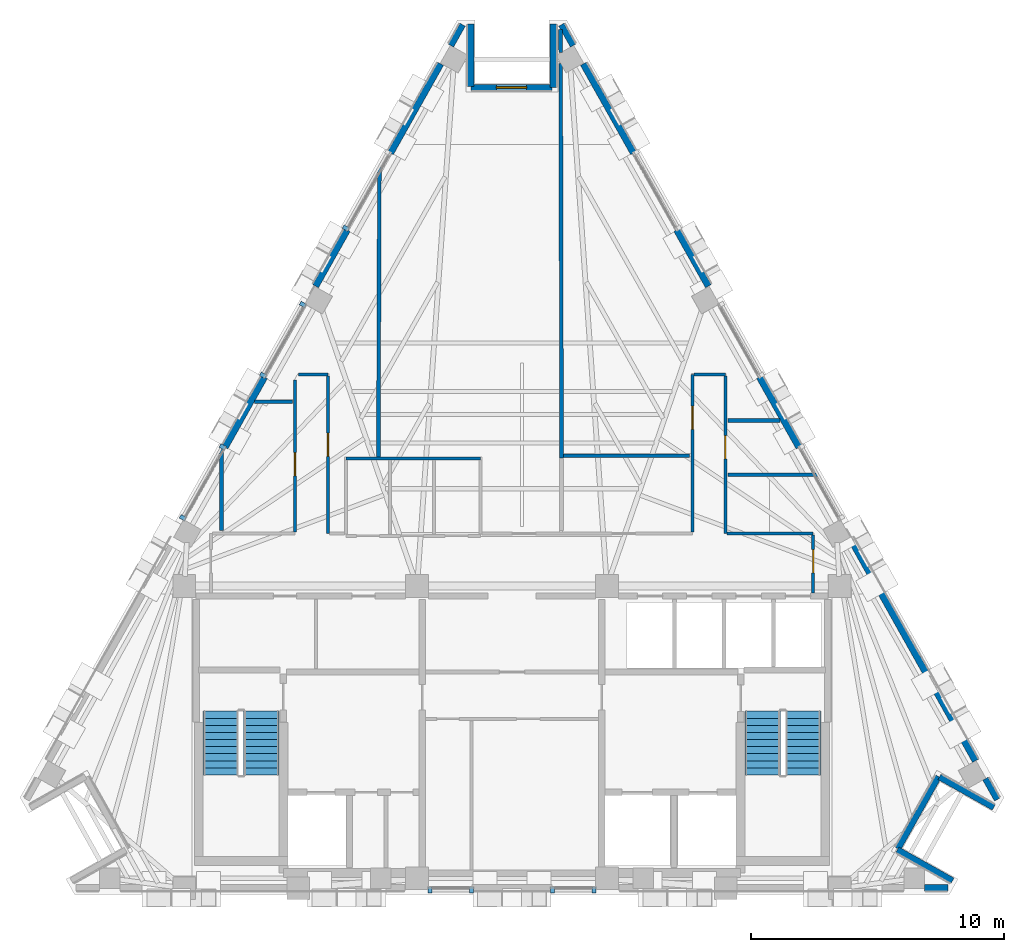
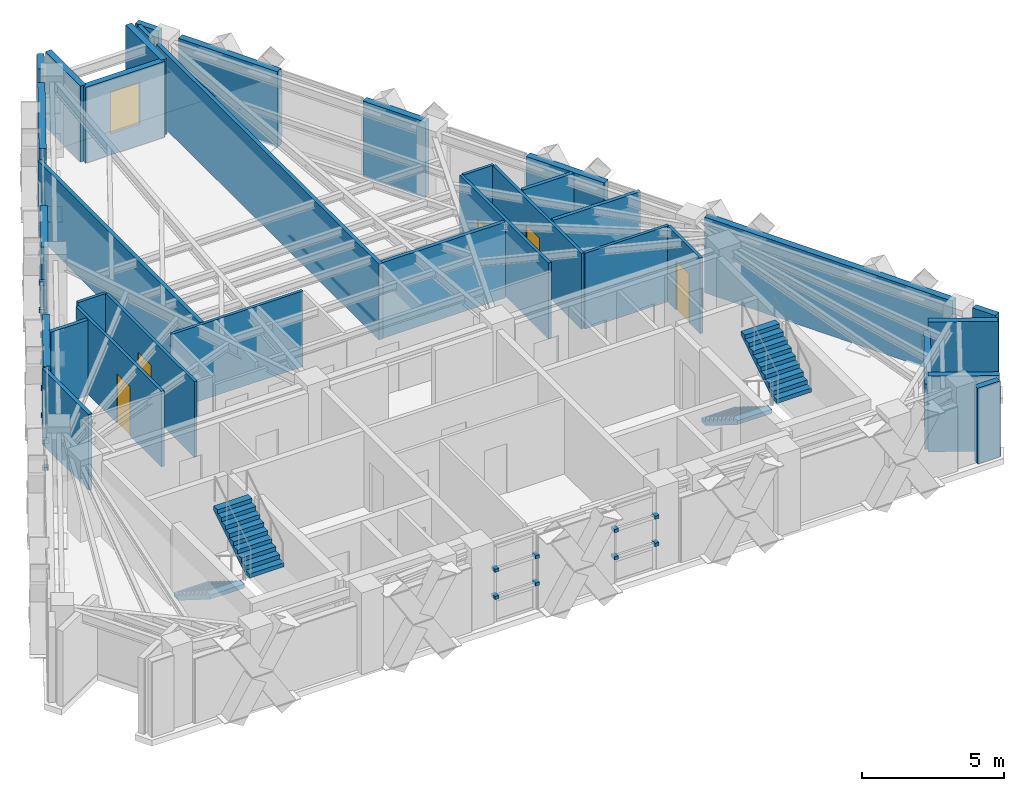
# One storey, part 8 of 11: 34 walls, 18 discrete accessories, 5 doors, 4 stair flights, 1 window, 6 openings, 2 elements without a shape of their own.
"""IFC4 building model written with IfcOpenShell, lengths in metres."""

from ifc_helpers import new_model, si_unit, direction, frame, frame_2d, origin, origin_2d, place, context, subcontext, project, spatial, polyline, rectangle, outline, extrude, material, layer, layer_set, type_object, element, fill, aggregate, save


model = new_model("IFC4")

# Units and contexts
model_context = context("Model", 3, precision=1e-05, world=origin(), true_north=direction((0.0, 1.0)))
body_context = subcontext(model_context, "Body", "Model", "MODEL_VIEW")
ifc_project = project(units=[si_unit("LENGTHUNIT", "METRE"), si_unit("AREAUNIT", "SQUARE_METRE"), si_unit("VOLUMEUNIT", "CUBIC_METRE"), si_unit("PLANEANGLEUNIT", "RADIAN"), si_unit("MASSUNIT", "GRAM", prefix="KILO")], contexts=[model_context])

# Site, building, storey
site_placement = place(None, origin())
site = spatial("IfcSite", under=ifc_project, at=site_placement, CompositionType="ELEMENT")
building_placement = place(site_placement, origin())
building = spatial("IfcBuilding", under=site, at=building_placement, Name="Quenlor Broadcast Tower", CompositionType="ELEMENT")
storey_placement = place(building_placement, frame((0.0, 0.0, 263.89990234375)))
storey = spatial("IfcBuildingStorey", under=building, at=storey_placement, Name="L73", CompositionType="ELEMENT", Elevation=263.89990234375)

# Walls
ifc_material_1 = material(Name="Acoustic Double Stud Gypsum Partition", Category="other")
ifc_layer_1 = layer(ifc_material_1, 0.14990234375)
ifc_layer_set_1 = layer_set([ifc_layer_1], Name="Broadcast Studio Acoustic Partition 150")
wall_type_1 = type_object("IfcWallType", Name="Broadcast Studio Acoustic Partition 150", PredefinedType="PARTITIONING", material=ifc_layer_set_1)
wall_1_placement = place(storey_placement, frame((1.92041015625, 17.17626953125, 0.0), z_axis=(0.0, 0.0, 1.0), x_axis=(0.002155167409, -0.999997677624, 0.0)))
element("IfcWall", 1, at=wall_1_placement, inside=storey, type_object=wall_type_1, Name="L73 Interior Wall PW-DV-01", PredefinedType="PARTITIONING", context=body_context, shape_type="SweptSolid", body=[
    extrude(rectangle(XDim=0.90625, YDim=0.14990234375, at=frame_2d((0.453125, 0.0))), origin(), (0.0, 0.0, 1.0), 3.25),
])
wall_2_placement = place(storey_placement, frame((1.923583984375, 15.834716796875, 0.0), z_axis=(0.0, 0.0, 1.0), x_axis=(0.002349065635, -0.999997240942, 0.0)))
element("IfcWall", 2, at=wall_2_placement, inside=storey, type_object=wall_type_1, Name="L73 Interior Wall PW-DV-01S2", PredefinedType="PARTITIONING", context=body_context, shape_type="SweptSolid", body=[
    extrude(rectangle(XDim=15.589599609375, YDim=0.14990234375, at=frame_2d((7.794921875, 0.0))), origin(), (0.0, 0.0, 1.0), 3.25),
])
wall_3_placement = place(storey_placement, frame((-5.27978515625, 0.2919921875, 0.0), z_axis=(0.0, 0.0, 1.0), x_axis=(0.003540480305, 0.99999373248, 0.0)))
element("IfcWall", 3, at=wall_3_placement, inside=storey, type_object=wall_type_1, Name="L73 Interior Wall PW-DV-02", PredefinedType="PARTITIONING", context=body_context, shape_type="SweptSolid", body=[
    extrude(rectangle(XDim=11.44677734375, YDim=0.14990234375, at=frame_2d((5.723388671875, 0.0))), origin(), (0.0, 0.0, 1.0), 3.25),
])
wall_4_placement = place(storey_placement, frame((10.597412109375, 1.72998046875, 0.0), z_axis=(0.0, 0.0, 1.0), x_axis=(-1.0, 0.0, 0.0)))
element("IfcWall", 4, at=wall_4_placement, inside=storey, type_object=wall_type_1, Name="L73 Interior Wall PW-DV-04", PredefinedType="PARTITIONING", context=body_context, shape_type="SweptSolid", body=[
    extrude(rectangle(XDim=2.057373046875, YDim=0.14990234375, at=frame_2d((1.02880859375, 0.0))), origin(), (0.0, 0.0, 1.0), 3.25),
])
wall_5_placement = place(storey_placement, frame((7.02001953125, 0.344970703125, 0.0), z_axis=(0.0, 0.0, 1.0), x_axis=(-1.0, 0.0, 0.0)))
element("IfcWall", 5, at=wall_5_placement, inside=storey, type_object=wall_type_1, Name="L73 Interior Wall PW-DV-05", PredefinedType="PARTITIONING", context=body_context, shape_type="SweptSolid", body=[
    extrude(rectangle(XDim=4.98291015625, YDim=0.14990234375, at=frame_2d((2.491455078125, 0.0))), origin(), (0.0, 0.0, 1.0), 3.25),
])
wall_6_placement = place(storey_placement, frame((-8.679931640625, 2.47998046875, 0.0), z_axis=(0.0, 0.0, 1.0), x_axis=(-1.0, 0.0, 0.0)))
element("IfcWall", 6, at=wall_6_placement, inside=storey, type_object=wall_type_1, Name="L73 Interior Wall PW-DV-06", PredefinedType="PARTITIONING", context=body_context, shape_type="SweptSolid", body=[
    extrude(rectangle(XDim=1.49560546875, YDim=0.14990234375, at=frame_2d((0.747802734375, 0.0))), origin(), (0.0, 0.0, 1.0), 3.25),
])
wall_7_placement = place(storey_placement, frame((12.0732421875, -0.410400390625, 0.0), z_axis=(0.0, 0.0, 1.0), x_axis=(-1.0, 0.0, 0.0)))
element("IfcWall", 7, at=wall_7_placement, inside=storey, type_object=wall_type_1, Name="L73 Interior Wall PW-DV-07", PredefinedType="PARTITIONING", context=body_context, shape_type="SweptSolid", body=[
    extrude(rectangle(XDim=3.533203125, YDim=0.14990234375, at=frame_2d((1.7666015625, 0.0))), origin(), (0.0, 0.0, 1.0), 3.25),
])
wall_8_placement = place(storey_placement, frame((-11.47998046875, -2.6201171875, 0.0), z_axis=(0.0, 0.0, 1.0), x_axis=(0.0, 1.0, 0.0)))
element("IfcWall", 8, at=wall_8_placement, inside=storey, type_object=wall_type_1, Name="L73 Interior Wall PW-DV-08", PredefinedType="PARTITIONING", context=body_context, shape_type="SweptSolid", body=[
    extrude(rectangle(XDim=3.264404296875, YDim=0.14990234375, at=frame_2d((1.63232421875, 0.0))), origin(), (0.0, 0.0, 1.0), 3.25),
])
ifc_material_2 = material(Name="Gypsum Plasterboard Partition", Category="other")
ifc_layer_2 = layer(ifc_material_2, 0.1201171875)
ifc_layer_set_2 = layer_set([ifc_layer_2], Name="Standard Office Partition 120")
wall_type_2 = type_object("IfcWallType", Name="Standard Office Partition 120", PredefinedType="PARTITIONING", material=ifc_layer_set_2)
wall_9_placement = place(storey_placement, frame((-6.56005859375, 0.22998046875, 0.0), z_axis=(0.0, 0.0, 1.0), x_axis=(1.0, 0.0, 0.0)))
element("IfcWall", 9, at=wall_9_placement, inside=storey, type_object=wall_type_2, Name="L73 Interior Wall PW-WC-N", PredefinedType="PARTITIONING", context=body_context, shape_type="SweptSolid", body=[
    extrude(rectangle(XDim=5.320068359375, YDim=0.1201171875, at=frame_2d((2.66015625, 0.0))), origin(), (0.0, 0.0, 1.0), 3.25),
])

# Wall, opening, door
wall_10_placement = place(storey_placement, frame((-8.570068359375, -2.66796875, 0.0), z_axis=(0.0, 0.0, 1.0), x_axis=(0.0, 1.0, 0.0)))
wall_10 = element("IfcWall", 10, at=wall_10_placement, inside=storey, type_object=wall_type_2, Name="L73 Interior Wall PW-CR-03", PredefinedType="PARTITIONING", context=body_context, shape_type="SweptSolid", body=[
    extrude(rectangle(XDim=5.9970703125, YDim=0.1201171875, at=frame_2d((2.99853515625, 0.0))), origin(), (0.0, 0.0, 1.0), 3.25),
])
opening_1_placement = place(wall_10_placement, frame((2.2119140625, 0.0, 0.0)))
opening_1 = element("IfcOpeningElement", 11, at=opening_1_placement, cuts=wall_10, Name="Opening ID-1", PredefinedType="OPENING", context=body_context, shape_type="SweptSolid", body=[
    extrude(rectangle(XDim=0.919921875, YDim=2.1201171875, at=frame_2d((0.4599609375, 1.06005859375))), frame((0.0, 0.070068359375, 0.0), z_axis=(0.0, -1.0, 0.0), x_axis=(1.0, 0.0, 0.0)), (0.0, 0.0, 1.0), 0.14013671875),
])
ifc_material_3 = material(Name="Solid Core Timber Oak", Category="wood")
door_type = type_object("IfcDoorType", Name="Single Leaf Timber Office Door 920x2120", OperationType="NOTDEFINED", PredefinedType="DOOR", material=ifc_material_3)
door_1_placement = place(opening_1_placement, origin())
door_1 = element("IfcDoor", 12, at=door_1_placement, inside=storey, type_object=door_type, Name="L73 Door DR-RM05", OperationType="SINGLE_SWING_RIGHT", OverallHeight=2.1201171875, OverallWidth=0.919921875, PredefinedType="DOOR", context=body_context, shape_type="SweptSolid", body=[
    extrude(rectangle(XDim=0.919921875, YDim=2.1201171875, at=frame_2d((0.4599609375, 1.06005859375))), frame((0.0, 0.02490234375, 0.0), z_axis=(0.0, -1.0, 0.0), x_axis=(1.0, 0.0, 0.0)), (0.0, 0.0, 1.0), 0.050048828125),
])
fill(opening_1, door_1)

# Wall
wall_11_placement = place(storey_placement, frame((-8.440185546875, 3.56005859375, 0.0), z_axis=(0.0, 0.0, 1.0), x_axis=(1.0, 0.0, 0.0)))
element("IfcWall", 13, at=wall_11_placement, inside=storey, type_object=wall_type_2, Name="L73 Interior Wall PW-CR-04", PredefinedType="PARTITIONING", context=body_context, shape_type="SweptSolid", body=[
    extrude(rectangle(XDim=1.170166015625, YDim=0.1201171875, at=frame_2d((0.5849609375, 0.0))), origin(), (0.0, 0.0, 1.0), 3.25),
])

# Wall, opening, door
wall_12_placement = place(storey_placement, frame((-7.27001953125, 3.498046875, 0.0), z_axis=(0.0, 0.0, 1.0), x_axis=(0.0, -1.0, 0.0)))
wall_12 = element("IfcWall", 14, at=wall_12_placement, inside=storey, type_object=wall_type_2, Name="L73 Interior Wall PW-CR-05", PredefinedType="PARTITIONING", context=body_context, shape_type="SweptSolid", body=[
    extrude(rectangle(XDim=6.22802734375, YDim=0.1201171875, at=frame_2d((3.114013671875, 0.0))), origin(), (0.0, 0.0, 1.0), 3.25),
])
opening_2_placement = place(wall_12_placement, frame((2.262939453125, 0.0, 0.0)))
opening_2 = element("IfcOpeningElement", 15, at=opening_2_placement, cuts=wall_12, Name="Opening ID-1", PredefinedType="OPENING", context=body_context, shape_type="SweptSolid", body=[
    extrude(rectangle(XDim=0.919921875, YDim=2.1201171875, at=frame_2d((0.4599609375, 1.06005859375))), frame((0.0, 0.070068359375, 0.0), z_axis=(0.0, -1.0, 0.0), x_axis=(1.0, 0.0, 0.0)), (0.0, 0.0, 1.0), 0.14013671875),
])
door_2_placement = place(opening_2_placement, origin())
door_2 = element("IfcDoor", 16, at=door_2_placement, inside=storey, type_object=door_type, Name="L73 Door DR-RM03", OperationType="SINGLE_SWING_RIGHT", OverallHeight=2.1201171875, OverallWidth=0.919921875, PredefinedType="DOOR", context=body_context, shape_type="SweptSolid", body=[
    extrude(rectangle(XDim=0.919921875, YDim=2.1201171875, at=frame_2d((0.4599609375, 1.06005859375))), frame((0.0, 0.02490234375, 0.0), z_axis=(0.0, -1.0, 0.0), x_axis=(1.0, 0.0, 0.0)), (0.0, 0.0, 1.0), 0.050048828125),
])
fill(opening_2, door_2)

wall_13_placement = place(storey_placement, frame((7.1298828125, -2.66796875, 0.0), z_axis=(0.0, 0.0, 1.0), x_axis=(0.0, 1.0, 0.0)))
wall_13 = element("IfcWall", 17, at=wall_13_placement, inside=storey, type_object=wall_type_2, Name="L73 Interior Wall PW-CR-09", PredefinedType="PARTITIONING", context=body_context, shape_type="SweptSolid", body=[
    extrude(rectangle(XDim=6.22802734375, YDim=0.1201171875, at=frame_2d((3.114013671875, 0.0))), origin(), (0.0, 0.0, 1.0), 3.25),
])
opening_3_placement = place(wall_13_placement, frame((4.051025390625, 0.0, 0.0)))
opening_3 = element("IfcOpeningElement", 18, at=opening_3_placement, cuts=wall_13, Name="Opening ID-1", PredefinedType="OPENING", context=body_context, shape_type="SweptSolid", body=[
    extrude(rectangle(XDim=0.919921875, YDim=2.1201171875, at=frame_2d((0.4599609375, 1.06005859375))), frame((0.0, 0.070068359375, 0.0), z_axis=(0.0, -1.0, 0.0), x_axis=(1.0, 0.0, 0.0)), (0.0, 0.0, 1.0), 0.14013671875),
])
door_3_placement = place(opening_3_placement, origin())
door_3 = element("IfcDoor", 19, at=door_3_placement, inside=storey, type_object=door_type, Name="L73 Door DR-RM02", OperationType="SINGLE_SWING_LEFT", OverallHeight=2.1201171875, OverallWidth=0.919921875, PredefinedType="DOOR", context=body_context, shape_type="SweptSolid", body=[
    extrude(rectangle(XDim=0.919921875, YDim=2.1201171875, at=frame_2d((0.4599609375, 1.06005859375))), frame((0.0, 0.02490234375, 0.0), z_axis=(0.0, -1.0, 0.0), x_axis=(1.0, 0.0, 0.0)), (0.0, 0.0, 1.0), 0.050048828125),
])
fill(opening_3, door_3)

# Wall
wall_14_placement = place(storey_placement, frame((7.19189453125, 3.56005859375, 0.0), z_axis=(0.0, 0.0, 1.0), x_axis=(1.0, 0.0, 0.0)))
element("IfcWall", 20, at=wall_14_placement, inside=storey, type_object=wall_type_2, Name="L73 Interior Wall PW-CR-10", PredefinedType="PARTITIONING", context=body_context, shape_type="SweptSolid", body=[
    extrude(rectangle(XDim=1.238037109375, YDim=0.1201171875, at=frame_2d((0.619140625, 0.0))), origin(), (0.0, 0.0, 1.0), 3.25),
])

# Wall, opening, door
wall_15_placement = place(storey_placement, frame((8.429931640625, 3.498046875, 0.0), z_axis=(0.0, 0.0, 1.0), x_axis=(0.0, -1.0, 0.0)))
wall_15 = element("IfcWall", 21, at=wall_15_placement, inside=storey, type_object=wall_type_2, Name="L73 Interior Wall PW-CR-11", PredefinedType="PARTITIONING", context=body_context, shape_type="SweptSolid", body=[
    extrude(rectangle(XDim=6.22802734375, YDim=0.1201171875, at=frame_2d((3.114013671875, 0.0))), origin(), (0.0, 0.0, 1.0), 3.25),
])
opening_4_placement = place(wall_15_placement, frame((2.35791015625, 0.0, 0.0)))
opening_4 = element("IfcOpeningElement", 22, at=opening_4_placement, cuts=wall_15, Name="Opening ID-1", PredefinedType="OPENING", context=body_context, shape_type="SweptSolid", body=[
    extrude(rectangle(XDim=0.919921875, YDim=2.1201171875, at=frame_2d((0.4599609375, 1.06005859375))), frame((0.0, 0.070068359375, 0.0), z_axis=(0.0, -1.0, 0.0), x_axis=(1.0, 0.0, 0.0)), (0.0, 0.0, 1.0), 0.14013671875),
])
door_4_placement = place(opening_4_placement, origin())
door_4 = element("IfcDoor", 23, at=door_4_placement, inside=storey, type_object=door_type, Name="L73 Door DR-RM04", OperationType="SINGLE_SWING_LEFT", OverallHeight=2.1201171875, OverallWidth=0.919921875, PredefinedType="DOOR", context=body_context, shape_type="SweptSolid", body=[
    extrude(rectangle(XDim=0.919921875, YDim=2.1201171875, at=frame_2d((0.4599609375, 1.06005859375))), frame((0.0, 0.02490234375, 0.0), z_axis=(0.0, -1.0, 0.0), x_axis=(1.0, 0.0, 0.0)), (0.0, 0.0, 1.0), 0.050048828125),
])
fill(opening_4, door_4)

# Wall
wall_16_placement = place(storey_placement, frame((8.491943359375, -2.72998046875, 0.0), z_axis=(0.0, 0.0, 1.0), x_axis=(1.0, 0.0, 0.0)))
element("IfcWall", 24, at=wall_16_placement, inside=storey, type_object=wall_type_2, Name="L73 Interior Wall PW-CR-12", PredefinedType="PARTITIONING", context=body_context, shape_type="SweptSolid", body=[
    extrude(rectangle(XDim=3.407958984375, YDim=0.1201171875, at=frame_2d((1.7041015625, 0.0))), origin(), (0.0, 0.0, 1.0), 3.25),
])

# Wall, opening, door
wall_17_placement = place(storey_placement, frame((11.89990234375, -2.7919921875, 0.0), z_axis=(0.0, 0.0, 1.0), x_axis=(0.0, -1.0, 0.0)))
wall_17 = element("IfcWall", 25, at=wall_17_placement, inside=storey, type_object=wall_type_2, Name="L73 Interior Wall PW-CR-13", PredefinedType="PARTITIONING", context=body_context, shape_type="SweptSolid", body=[
    extrude(rectangle(XDim=2.281005859375, YDim=0.1201171875, at=frame_2d((1.140625, 0.0))), origin(), (0.0, 0.0, 1.0), 3.25),
])
opening_5_placement = place(wall_17_placement, frame((0.577880859375, 0.0, 0.0)))
opening_5 = element("IfcOpeningElement", 26, at=opening_5_placement, cuts=wall_17, Name="Opening ID-1", PredefinedType="OPENING", context=body_context, shape_type="SweptSolid", body=[
    extrude(rectangle(XDim=0.919921875, YDim=2.1201171875, at=frame_2d((0.4599609375, 1.06005859375))), frame((0.0, 0.070068359375, 0.0), z_axis=(0.0, -1.0, 0.0), x_axis=(1.0, 0.0, 0.0)), (0.0, 0.0, 1.0), 0.14013671875),
])
door_5_placement = place(opening_5_placement, origin())
door_5 = element("IfcDoor", 27, at=door_5_placement, inside=storey, type_object=door_type, Name="L73 Door DR-RM07", OperationType="SINGLE_SWING_RIGHT", OverallHeight=2.1201171875, OverallWidth=0.919921875, PredefinedType="DOOR", context=body_context, shape_type="SweptSolid", body=[
    extrude(rectangle(XDim=0.919921875, YDim=2.1201171875, at=frame_2d((0.4599609375, 1.06005859375))), frame((0.0, 0.02490234375, 0.0), z_axis=(0.0, -1.0, 0.0), x_axis=(1.0, 0.0, 0.0)), (0.0, 0.0, 1.0), 0.050048828125),
])
fill(opening_5, door_5)

# Walls
ifc_material_4 = material(Name="Precast concrete C40/50", Category="concrete")
ifc_layer_3 = layer(ifc_material_4, 0.239990234375)
ifc_layer_set_3 = layer_set([ifc_layer_3], Name="Terrace Threshold Precast Concrete C40/50 Wall 240")
wall_type_3 = type_object("IfcWallType", Name="Terrace Threshold Precast Concrete C40/50 Wall 240", PredefinedType="STANDARD", material=ifc_layer_set_3)
wall_18_placement = place(storey_placement, frame((17.219970703125, -16.72509765625, 0.0), z_axis=(0.0, 0.0, 1.0), x_axis=(-1.0, 0.0, 0.0)))
element("IfcWall", 28, at=wall_18_placement, inside=storey, type_object=wall_type_3, Name="L73 Exterior Wall L73-SHD-SS0", PredefinedType="STANDARD", context=body_context, shape_type="SweptSolid", body=[
    extrude(rectangle(XDim=0.91748046875, YDim=0.239990234375, at=frame_2d((0.458740234375, 0.0))), origin(), (0.0, 0.0, 1.0), 3.25),
])
for number, where, z_axis, x_axis, name in (
    (29, (1.94970703125, 17.372802734375, 0.0), (0.0, 0.0, 1.0), (0.490199895283, -0.871610040479, 0.0), "L73 Exterior Wall L73-SHD-NES0"),
    (30, (18.707763671875, -12.4189453125, 0.0), (0.0, 0.0, 1.0), (0.490199895283, -0.871610040479, 0.0), "L73 Exterior Wall L73-SHD-NES1"),
    (31, (-2.412841796875, 16.54931640625, 0.0), (0.0, 0.0, 1.0), (0.490199895283, 0.871610040479, 0.0), "L73 Exterior Wall L73-SHD-NWS1"),
):
    element("IfcWall", number, at=place(storey_placement, frame(where, z_axis=z_axis, x_axis=x_axis)), inside=storey, type_object=wall_type_3, Name=name, PredefinedType="STANDARD", context=body_context, shape_type="SweptSolid", body=[
        extrude(rectangle(XDim=0.94482421875, YDim=0.239990234375, at=frame_2d((0.472412109375, 0.0))), origin(), (0.0, 0.0, 1.0), 3.25),
    ])
wall_19_placement = place(storey_placement, frame((17.40771484375, -16.446533203125, 0.0), z_axis=(0.0, 0.0, 1.0), x_axis=(-0.871588577066, 0.490238056792, 0.0)))
element("IfcWall", 32, at=wall_19_placement, inside=storey, type_object=wall_type_3, Name="L73 Exterior Wall L73-CNR-01", PredefinedType="STANDARD", context=body_context, shape_type="SweptSolid", body=[
    extrude(rectangle(XDim=2.5, YDim=0.239990234375, at=frame_2d((1.25, 0.0))), origin(), (0.0, 0.0, 1.0), 3.25),
])
wall_20_placement = place(storey_placement, frame((15.248291015625, -15.18603515625, 0.0), z_axis=(0.0, 0.0, 1.0), x_axis=(0.490293083368, 0.871557624258, 0.0)))
element("IfcWall", 33, at=wall_20_placement, inside=storey, type_object=wall_type_3, Name="L73 Exterior Wall L73-CNR-02", PredefinedType="STANDARD", context=body_context, shape_type="SweptSolid", body=[
    extrude(rectangle(XDim=3.276123046875, YDim=0.239990234375, at=frame_2d((1.63818359375, 0.0))), origin(), (0.0, 0.0, 1.0), 2.789794921875),
])
wall_21_placement = place(storey_placement, frame((16.889404296875, -12.350341796875, 0.0), z_axis=(0.0, 0.0, 1.0), x_axis=(0.87157023615, -0.490270663468, 0.0)))
element("IfcWall", 34, at=wall_21_placement, inside=storey, type_object=wall_type_3, Name="L73 Exterior Wall L73-CNR-03", PredefinedType="STANDARD", context=body_context, shape_type="SweptSolid", body=[
    extrude(rectangle(XDim=2.4599609375, YDim=0.239990234375, at=frame_2d((1.22998046875, 0.0))), origin(), (0.0, 0.0, 1.0), 3.25),
])
wall_22_placement = place(storey_placement, frame((1.62890625, 17.39990234375, 0.0), z_axis=(0.0, 0.0, 1.0), x_axis=(0.0, -1.0, 0.0)))
element("IfcWall", 35, at=wall_22_placement, inside=storey, type_object=wall_type_3, Name="L73 Exterior Wall L73-CNR-07", PredefinedType="STANDARD", context=body_context, shape_type="SweptSolid", body=[
    extrude(rectangle(XDim=2.5, YDim=0.239990234375, at=frame_2d((1.25, 0.0))), origin(), (0.0, 0.0, 1.0), 3.25),
])

# Wall, opening, window
wall_23_placement = place(storey_placement, frame((1.5888671875, 14.89990234375, 0.0), z_axis=(0.0, 0.0, 1.0), x_axis=(-1.0, 0.0, 0.0)))
wall_23 = element("IfcWall", 36, at=wall_23_placement, inside=storey, type_object=wall_type_3, Name="L73 Exterior Wall L73-CNR-08", PredefinedType="STANDARD", context=body_context, shape_type="SweptSolid", body=[
    extrude(rectangle(XDim=3.2177734375, YDim=0.239990234375, at=frame_2d((1.60888671875, 0.0))), origin(), (0.0, 0.0, 1.0), 3.25),
])
opening_6_placement = place(wall_23_placement, frame((1.009033203125, 0.0, 0.89990234375)))
opening_6 = element("IfcOpeningElement", 37, at=opening_6_placement, cuts=wall_23, Name="Opening WN-5", PredefinedType="OPENING", context=body_context, shape_type="SweptSolid", body=[
    extrude(rectangle(XDim=1.199951171875, YDim=1.800048828125, at=frame_2d((0.60009765625, 0.89990234375))), frame((0.0, 0.1298828125, 0.0), z_axis=(0.0, -1.0, 0.0), x_axis=(1.0, 0.0, 0.0)), (0.0, 0.0, 1.0), 0.260009765625),
])
ifc_material_5 = material(Name="Thermally Broken Aluminium and Low-E Glass", Category="aluminium")
window_type = type_object("IfcWindowType", Name="Corner Chamfer Punched Window 1200x1800", PartitioningType="SINGLE_PANEL", PredefinedType="WINDOW", material=ifc_material_5)
window_placement = place(opening_6_placement, origin())
window = element("IfcWindow", 38, at=window_placement, inside=storey, type_object=window_type, Name="L73 Corner Chamfer Window 8", OverallHeight=1.800048828125, OverallWidth=1.199951171875, PartitioningType="SINGLE_PANEL", PredefinedType="WINDOW", context=body_context, shape_type="SweptSolid", body=[
    extrude(rectangle(XDim=1.199951171875, YDim=1.800048828125, at=frame_2d((0.60009765625, 0.89990234375))), frame((0.0, 0.030029296875, 0.0), z_axis=(0.0, -1.0, 0.0), x_axis=(1.0, 0.0, 0.0)), (0.0, 0.0, 1.0), 0.06005859375),
])
fill(opening_6, window)

# Walls
wall_24_placement = place(storey_placement, frame((-1.62890625, 14.93994140625, 0.0), z_axis=(0.0, 0.0, 1.0), x_axis=(0.0, 1.0, 0.0)))
element("IfcWall", 39, at=wall_24_placement, inside=storey, type_object=wall_type_3, Name="L73 Exterior Wall L73-CNR-09", PredefinedType="STANDARD", context=body_context, shape_type="SweptSolid", body=[
    extrude(rectangle(XDim=2.4599609375, YDim=0.239990234375, at=frame_2d((1.22998046875, 0.0))), origin(), (0.0, 0.0, 1.0), 3.25),
])
ifc_material_6 = material(Name="Precast concrete C40/50", Category="concrete")
ifc_layer_4 = layer(ifc_material_6, 0.260009765625)
ifc_layer_set_4 = layer_set([ifc_layer_4], Name="Terracotta Precast Concrete C40/50 Upper Wall 260")
wall_type_4 = type_object("IfcWallType", Name="Terracotta Precast Concrete C40/50 Upper Wall 260", PredefinedType="STANDARD", material=ifc_layer_set_4)
wall_25_placement = place(storey_placement, frame((2.81982421875, 15.825927734375, 0.0), z_axis=(0.0, 0.0, 1.0), x_axis=(0.490307113915, -0.871549731251, 0.0)))
element("IfcWall", 40, at=wall_25_placement, inside=storey, type_object=wall_type_4, Name="L73 Exterior Wall L73-NEA-SP1", PredefinedType="STANDARD", context=body_context, shape_type="SweptSolid", body=[
    extrude(rectangle(XDim=4.042724609375, YDim=0.260009765625, at=frame_2d((2.021484375, 0.0))), origin(), (0.0, 0.0, 1.0), 3.25),
])
wall_26_placement = place(storey_placement, frame((6.509521484375, 9.266357421875, 0.0), z_axis=(0.0, 0.0, 1.0), x_axis=(0.490333959365, -0.871534628281, 0.0)))
element("IfcWall", 41, at=wall_26_placement, inside=storey, type_object=wall_type_4, Name="L73 Exterior Wall L73-NEA-SP2", PredefinedType="STANDARD", context=body_context, shape_type="SweptSolid", body=[
    extrude(rectangle(XDim=2.55029296875, YDim=0.260009765625, at=frame_2d((1.275146484375, 0.0))), origin(), (0.0, 0.0, 1.0), 3.25),
])
wall_27_placement = place(storey_placement, frame((13.350830078125, -2.895751953125, 0.0), z_axis=(0.0, 0.0, 1.0), x_axis=(0.490266968583, -0.871572314565, 0.0)))
element("IfcWall", 42, at=wall_27_placement, inside=storey, type_object=wall_type_4, Name="L73 Exterior Wall L73-EW-NEC", PredefinedType="STANDARD", context=body_context, shape_type="SweptSolid", body=[
    extrude(rectangle(XDim=10.116455078125, YDim=0.260009765625, at=frame_2d((5.05810546875, 0.0))), origin(), (0.0, 0.0, 1.0), 3.25),
])
wall_28_placement = place(storey_placement, frame((9.779296875, 3.45361328125, 0.0), z_axis=(0.0, 0.0, 1.0), x_axis=(0.490268515903, -0.871571444182, 0.0)))
element("IfcWall", 43, at=wall_28_placement, inside=storey, type_object=wall_type_4, Name="L73 Exterior Wall L73-NE-SP1", PredefinedType="STANDARD", context=body_context, shape_type="SweptSolid", body=[
    extrude(rectangle(XDim=3.18603515625, YDim=0.260009765625, at=frame_2d((1.593017578125, 0.0))), origin(), (0.0, 0.0, 1.0), 3.25),
])
wall_29_placement = place(storey_placement, frame((-7.760009765625, 7.043701171875, 0.0), z_axis=(0.0, 0.0, 1.0), x_axis=(0.490333959365, 0.871534628281, 0.0)))
element("IfcWall", 44, at=wall_29_placement, inside=storey, type_object=wall_type_4, Name="L73 Exterior Wall L73-NWC-SP1", PredefinedType="STANDARD", context=body_context, shape_type="SweptSolid", body=[
    extrude(rectangle(XDim=2.55029296875, YDim=0.260009765625, at=frame_2d((1.275146484375, 0.0))), origin(), (0.0, 0.0, 1.0), 3.25),
])
wall_30_placement = place(storey_placement, frame((-4.802001953125, 12.302490234375, 0.0), z_axis=(0.0, 0.0, 1.0), x_axis=(0.490307113915, 0.871549731251, 0.0)))
element("IfcWall", 45, at=wall_30_placement, inside=storey, type_object=wall_type_4, Name="L73 Exterior Wall L73-NWC-SP2", PredefinedType="STANDARD", context=body_context, shape_type="SweptSolid", body=[
    extrude(rectangle(XDim=4.042724609375, YDim=0.260009765625, at=frame_2d((2.021484375, 0.0))), origin(), (0.0, 0.0, 1.0), 3.25),
])
wall_31_placement = place(storey_placement, frame((-11.34130859375, 0.6767578125, 0.0), z_axis=(0.0, 0.0, 1.0), x_axis=(0.490268515903, 0.871571444182, 0.0)))
element("IfcWall", 46, at=wall_31_placement, inside=storey, type_object=wall_type_4, Name="L73 Exterior Wall L73-NW-SP1", PredefinedType="STANDARD", context=body_context, shape_type="SweptSolid", body=[
    extrude(rectangle(XDim=3.18603515625, YDim=0.260009765625, at=frame_2d((1.593017578125, 0.0))), origin(), (0.0, 0.0, 1.0), 3.25),
])

# Stair, stair flights
ifc_material_7 = material(Name="Precast concrete C40/50", Category="concrete")
stair_type = type_object("IfcStairType", Name="Precast Concrete C40/50 Dogleg Stair H350", PredefinedType="HALF_TURN_STAIR", material=ifc_material_7)
stair_1_placement = place(storey_placement, origin())
stair_1 = element("IfcStair", 47, at=stair_1_placement, inside=storey, type_object=stair_type, Name="L73 West Core Fire-Isolated Exit Stair ST-1", PredefinedType="HALF_TURN_STAIR")
ifc_material_8 = material(Name="Precast concrete C40/50", Category="concrete")
ifc_layer_5 = layer(ifc_material_8, 0.159912109375)
ifc_layer_set_5 = layer_set([ifc_layer_5], Name="Precast Concrete C40/50 Stair Flight H350")
stair_flight_type = type_object("IfcStairFlightType", Name="Precast Concrete C40/50 Stair Flight H350", PredefinedType="STRAIGHT", material=ifc_layer_set_5)
stair_flight_1_placement = place(storey_placement, frame((-11.5, -9.75, 0.0), z_axis=(0.0, 0.0, 1.0), x_axis=(0.0, -1.0, 0.0)))
stair_flight_1 = element("IfcStairFlight", 48, at=stair_flight_1_placement, type_object=stair_flight_type, Name="ST-1 flight 1", NumberOfRisers=10, NumberOfTreads=9, PredefinedType="STRAIGHT", RiserHeight=0.175, TreadLength=0.28, context=body_context, shape_type="SweptSolid", body=[
    extrude(outline(polyline([(0.0, 0.0), (0.0, 0.175048828125), (0.280029296875, 0.175048828125), (0.280029296875, 0.35009765625), (0.56005859375, 0.35009765625), (0.56005859375, 0.52490234375), (0.840087890625, 0.52490234375), (0.840087890625, 0.699951171875), (1.1201171875, 0.699951171875), (1.1201171875, 0.875), (1.39990234375, 0.875), (1.39990234375, 1.050048828125), (1.679931640625, 1.050048828125), (1.679931640625, 1.22509765625), (1.9599609375, 1.22509765625), (1.9599609375, 1.39990234375), (2.239990234375, 1.39990234375), (2.239990234375, 1.574951171875), (2.52001953125, 1.574951171875), (2.52001953125, 1.75), (2.52001953125, 1.398193359375), (0.28271484375, 0.0), (0.0, 0.0)])), frame((0.0, 0.699951171875, 0.0), z_axis=(0.0, -1.0, 0.0), x_axis=(1.0, 0.0, 0.0)), (0.0, 0.0, 1.0), 1.39990234375),
])
stair_flight_2_placement = place(storey_placement, frame((-9.89990234375, -12.27001953125, 1.75), z_axis=(0.0, 0.0, 1.0), x_axis=(0.0, 1.0, 0.0)))
stair_flight_2 = element("IfcStairFlight", 49, at=stair_flight_2_placement, type_object=stair_flight_type, Name="ST-1 flight 2", NumberOfRisers=10, NumberOfTreads=9, PredefinedType="STRAIGHT", RiserHeight=0.175, TreadLength=0.28, context=body_context, shape_type="SweptSolid", body=[
    extrude(outline(polyline([(0.0, 0.0), (0.0, 0.175048828125), (0.280029296875, 0.175048828125), (0.280029296875, 0.35009765625), (0.56005859375, 0.35009765625), (0.56005859375, 0.52490234375), (0.840087890625, 0.52490234375), (0.840087890625, 0.699951171875), (1.1201171875, 0.699951171875), (1.1201171875, 0.875), (1.39990234375, 0.875), (1.39990234375, 1.050048828125), (1.679931640625, 1.050048828125), (1.679931640625, 1.22509765625), (1.9599609375, 1.22509765625), (1.9599609375, 1.39990234375), (2.239990234375, 1.39990234375), (2.239990234375, 1.574951171875), (2.52001953125, 1.574951171875), (2.52001953125, 1.75), (2.52001953125, 1.398193359375), (0.28271484375, 0.0), (0.0, 0.0)])), frame((0.0, 0.699951171875, 0.0), z_axis=(0.0, -1.0, 0.0), x_axis=(1.0, 0.0, 0.0)), (0.0, 0.0, 1.0), 1.39990234375),
])
aggregate(stair_1, [stair_flight_1, stair_flight_2])

stair_2_placement = place(storey_placement, origin())
stair_2 = element("IfcStair", 50, at=stair_2_placement, inside=storey, type_object=stair_type, Name="L73 East Core Fire-Isolated Exit Stair ST-2", PredefinedType="HALF_TURN_STAIR")
stair_flight_3_placement = place(storey_placement, frame((9.89990234375, -9.75, 0.0), z_axis=(0.0, 0.0, 1.0), x_axis=(0.0, -1.0, 0.0)))
stair_flight_3 = element("IfcStairFlight", 51, at=stair_flight_3_placement, type_object=stair_flight_type, Name="ST-2 flight 1", NumberOfRisers=10, NumberOfTreads=9, PredefinedType="STRAIGHT", RiserHeight=0.175, TreadLength=0.28, context=body_context, shape_type="SweptSolid", body=[
    extrude(outline(polyline([(0.0, 0.0), (0.0, 0.175048828125), (0.280029296875, 0.175048828125), (0.280029296875, 0.35009765625), (0.56005859375, 0.35009765625), (0.56005859375, 0.52490234375), (0.840087890625, 0.52490234375), (0.840087890625, 0.699951171875), (1.1201171875, 0.699951171875), (1.1201171875, 0.875), (1.39990234375, 0.875), (1.39990234375, 1.050048828125), (1.679931640625, 1.050048828125), (1.679931640625, 1.22509765625), (1.9599609375, 1.22509765625), (1.9599609375, 1.39990234375), (2.239990234375, 1.39990234375), (2.239990234375, 1.574951171875), (2.52001953125, 1.574951171875), (2.52001953125, 1.75), (2.52001953125, 1.398193359375), (0.28271484375, 0.0), (0.0, 0.0)])), frame((0.0, 0.699951171875, 0.0), z_axis=(0.0, -1.0, 0.0), x_axis=(1.0, 0.0, 0.0)), (0.0, 0.0, 1.0), 1.39990234375),
])
stair_flight_4_placement = place(storey_placement, frame((11.5, -12.27001953125, 1.75), z_axis=(0.0, 0.0, 1.0), x_axis=(0.0, 1.0, 0.0)))
stair_flight_4 = element("IfcStairFlight", 52, at=stair_flight_4_placement, type_object=stair_flight_type, Name="ST-2 flight 2", NumberOfRisers=10, NumberOfTreads=9, PredefinedType="STRAIGHT", RiserHeight=0.175, TreadLength=0.28, context=body_context, shape_type="SweptSolid", body=[
    extrude(outline(polyline([(0.0, 0.0), (0.0, 0.175048828125), (0.280029296875, 0.175048828125), (0.280029296875, 0.35009765625), (0.56005859375, 0.35009765625), (0.56005859375, 0.52490234375), (0.840087890625, 0.52490234375), (0.840087890625, 0.699951171875), (1.1201171875, 0.699951171875), (1.1201171875, 0.875), (1.39990234375, 0.875), (1.39990234375, 1.050048828125), (1.679931640625, 1.050048828125), (1.679931640625, 1.22509765625), (1.9599609375, 1.22509765625), (1.9599609375, 1.39990234375), (2.239990234375, 1.39990234375), (2.239990234375, 1.574951171875), (2.52001953125, 1.574951171875), (2.52001953125, 1.75), (2.52001953125, 1.398193359375), (0.28271484375, 0.0), (0.0, 0.0)])), frame((0.0, 0.699951171875, 0.0), z_axis=(0.0, -1.0, 0.0), x_axis=(1.0, 0.0, 0.0)), (0.0, 0.0, 1.0), 1.39990234375),
])
aggregate(stair_2, [stair_flight_3, stair_flight_4])

# Discrete accessories
ifc_material_9 = material(Name="Aluminium 6063-T6", Category="aluminium")
discrete_accessory_type = type_object("IfcDiscreteAccessoryType", Name="Stainless Mullion Baguette Support Bracket", PredefinedType="BRACKET", material=ifc_material_9)
for number, where, z_axis, x_axis, name in (
    (53, (3.24755859375, -16.81005859375, 1.10009765625), (0.0, 0.0, 1.0), (-1.0, 0.0, 0.0), "L73 Baguette Mullion Bracket 1.1"),
    (54, (1.60400390625, -16.81005859375, 1.10009765625), (0.0, 0.0, 1.0), (-1.0, 0.0, 0.0), "L73 Baguette Mullion Bracket 1.2"),
    (55, (3.24755859375, -16.81005859375, 2.27001953125), (0.0, 0.0, 1.0), (-1.0, 0.0, 0.0), "L73 Baguette Mullion Bracket 2.1"),
    (56, (1.60400390625, -16.81005859375, 2.27001953125), (0.0, 0.0, 1.0), (-1.0, 0.0, 0.0), "L73 Baguette Mullion Bracket 2.2"),
    (57, (-1.60400390625, -16.81005859375, 1.10009765625), (0.0, 0.0, 1.0), (-1.0, 0.0, 0.0), "L73 Baguette Mullion Bracket 1.1"),
    (58, (-3.24755859375, -16.81005859375, 1.10009765625), (0.0, 0.0, 1.0), (-1.0, 0.0, 0.0), "L73 Baguette Mullion Bracket 1.2"),
    (59, (-1.60400390625, -16.81005859375, 2.27001953125), (0.0, 0.0, 1.0), (-1.0, 0.0, 0.0), "L73 Baguette Mullion Bracket 2.1"),
    (60, (-3.24755859375, -16.81005859375, 2.27001953125), (0.0, 0.0, 1.0), (-1.0, 0.0, 0.0), "L73 Baguette Mullion Bracket 2.2"),
    (61, (-6.56787109375, 9.33642578125, 1.10009765625), (0.0, 0.0, 1.0), (0.490249776801, 0.871581984868, 0.0), "L73 Baguette Mullion Bracket 1.1"),
    (62, (-6.56787109375, 9.33642578125, 2.27001953125), (0.0, 0.0, 1.0), (0.490249776801, 0.871581984868, 0.0), "L73 Baguette Mullion Bracket 2.1"),
    (63, (-13.004638671875, -2.106689453125, 1.10009765625), (0.0, 0.0, 1.0), (0.490261946333, 0.871575139605, 0.0), "L73 Baguette Mullion Bracket 1.1"),
    (64, (-11.431396484375, 0.690185546875, 1.10009765625), (0.0, 0.0, 1.0), (0.490261946333, 0.871575139605, 0.0), "L73 Baguette Mullion Bracket 1.2"),
    (65, (-13.004638671875, -2.106689453125, 2.27001953125), (0.0, 0.0, 1.0), (0.490261946333, 0.871575139605, 0.0), "L73 Baguette Mullion Bracket 2.1"),
    (66, (-11.431396484375, 0.690185546875, 2.27001953125), (0.0, 0.0, 1.0), (0.490261946333, 0.871575139605, 0.0), "L73 Baguette Mullion Bracket 2.2"),
    (67, (-9.83740234375, 3.523681640625, 1.10009765625), (0.0, 0.0, 1.0), (0.490261946333, 0.871575139605, 0.0), "L73 Baguette Mullion Bracket 1.1"),
    (68, (-8.26416015625, 6.3203125, 1.10009765625), (0.0, 0.0, 1.0), (0.490261946333, 0.871575139605, 0.0), "L73 Baguette Mullion Bracket 1.2"),
    (69, (-9.83740234375, 3.523681640625, 2.27001953125), (0.0, 0.0, 1.0), (0.490261946333, 0.871575139605, 0.0), "L73 Baguette Mullion Bracket 2.1"),
    (70, (-8.26416015625, 6.3203125, 2.27001953125), (0.0, 0.0, 1.0), (0.490261946333, 0.871575139605, 0.0), "L73 Baguette Mullion Bracket 2.2"),
):
    element("IfcDiscreteAccessory", number, at=place(storey_placement, frame(where, z_axis=z_axis, x_axis=x_axis)), inside=storey, type_object=discrete_accessory_type, Name=name, PredefinedType="BRACKET", context=body_context, shape_type="SweptSolid", body=[
        extrude(rectangle(XDim=0.159912109375, YDim=0.239990234375, at=origin_2d()), origin(), (0.0, 0.0, 1.0), 0.139892578125),
    ])

save(model, "model.ifc")
